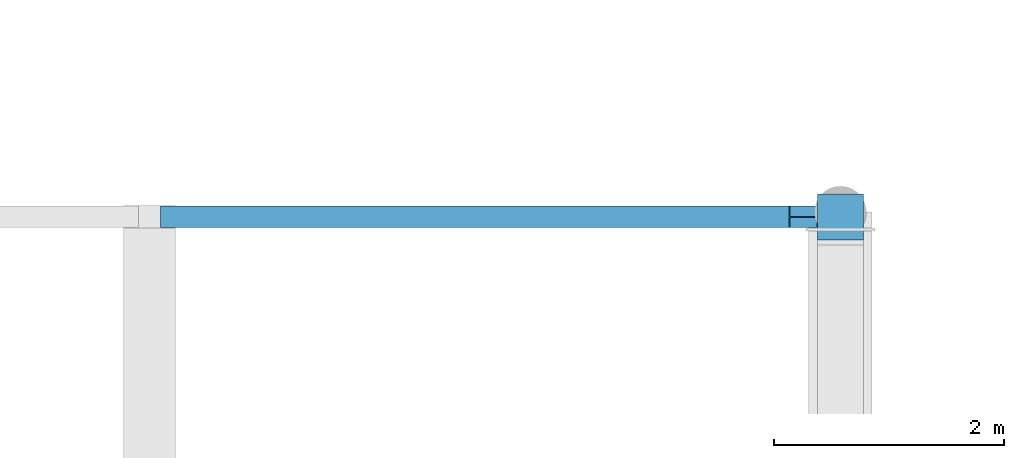
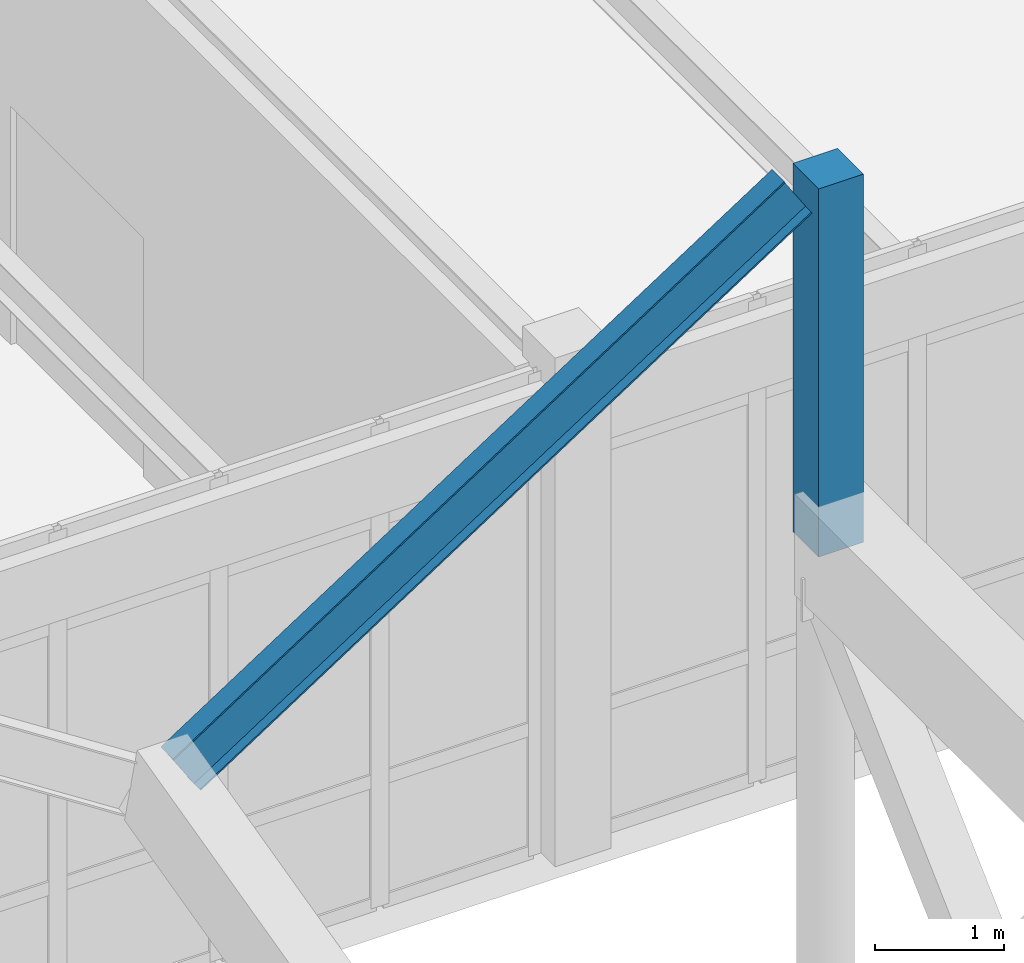
# One storey, part 161 of 236: 1 beam, 1 member.
"""IFC4 building model written with IfcOpenShell, lengths in metres."""

from ifc_helpers import new_model, si_unit, direction, frame, origin, origin_2d, place, context, subcontext, project, spatial, rectangle, i_section, extrude, material, material_profile, profile_set, type_object, element, save


model = new_model("IFC4")

# Units and contexts
model_context = context("Model", 3, precision=1e-05, world=origin(), true_north=direction((0.0, 1.0)))
body_context = subcontext(model_context, "Body", "Model", "MODEL_VIEW")
ifc_project = project(units=[si_unit("LENGTHUNIT", "METRE"), si_unit("AREAUNIT", "SQUARE_METRE"), si_unit("VOLUMEUNIT", "CUBIC_METRE"), si_unit("PLANEANGLEUNIT", "RADIAN"), si_unit("MASSUNIT", "GRAM", prefix="KILO")], contexts=[model_context])

# Site, building, storey
site_placement = place(None, origin())
site = spatial("IfcSite", under=ifc_project, at=site_placement, CompositionType="ELEMENT")
building_placement = place(site_placement, origin())
building = spatial("IfcBuilding", under=site, at=building_placement, Name="Pandanus Reach Market Hall", CompositionType="ELEMENT")
storey_placement = place(building_placement, frame((0.0, 0.0, 5.39990234375)))
storey = spatial("IfcBuildingStorey", under=building, at=storey_placement, Name="L01", CompositionType="ELEMENT", Elevation=5.39990234375)

# Member
ifc_material_1 = material(Name="Concrete N50 (50 MPa)", Category="concrete")
ifc_material_profile_1 = material_profile(ifc_material_1, rectangle(XDim=0.39990234375, YDim=0.39990234375, at=origin_2d()), Name="RC400x400", Category="LoadBearing")
ifc_profile_set_1 = profile_set([ifc_material_profile_1], Name="Concrete N50 (50 MPa)")
member_type = type_object("IfcMemberType", Name="AR-WEB400-E", PredefinedType="STRUT", material=ifc_profile_set_1)
member_placement = place(storey_placement, frame((132.0, 91.9599609375, 5.3251953125), z_axis=(0.0, 0.0, 1.0), x_axis=(1.0, 0.0, 0.0)))
element("IfcMember", 1, at=member_placement, inside=storey, type_object=member_type, Name="Zigzag eaves ridge post A8.N", PredefinedType="STRUT", context=body_context, shape_type="SweptSolid", body=[
    extrude(rectangle(XDim=0.39990234375, YDim=0.39990234375, at=origin_2d()), origin(), (0.0, 0.0, 1.0), 3.474853515625),
])

# Beam
ifc_material_2 = material(Name="Steel Grade 350 (350 MPa)", Category="steel")
ifc_material_profile_2 = material_profile(ifc_material_2, i_section(OverallWidth=0.18994140625, OverallDepth=0.45703125, WebThickness=0.009033203125, FlangeThickness=0.014404296875, at=origin_2d()), Name="460UB74.6", Category="LoadBearing")
ifc_profile_set_2 = profile_set([ifc_material_profile_2], Name="Steel Grade 350 (350 MPa)")
beam_type = type_object("IfcBeamType", Name="BM-UB460-E", PredefinedType="BEAM", material=ifc_profile_set_2)
beam_placement = place(storey_placement, frame((126.219970703125, 91.9599609375, 5.16015625), z_axis=(0.839070527962, 0.0, 0.544022654956), x_axis=(0.0, 1.0, 0.0)))
element("IfcBeam", 2, at=beam_placement, inside=storey, type_object=beam_type, Name="Butterfly transverse rib B7.8R", PredefinedType="BEAM", context=body_context, shape_type="SweptSolid", body=[
    extrude(i_section(OverallWidth=0.18994140625, OverallDepth=0.45703125, WebThickness=0.009033203125, FlangeThickness=0.014404296875, at=origin_2d()), origin(), (0.0, 0.0, 1.0), 6.507080078125),
])

save(model, "model.ifc")
